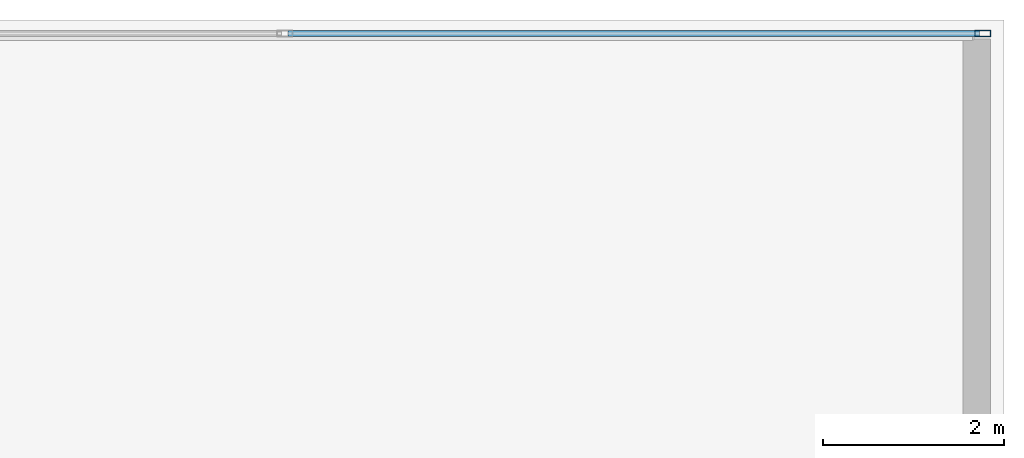
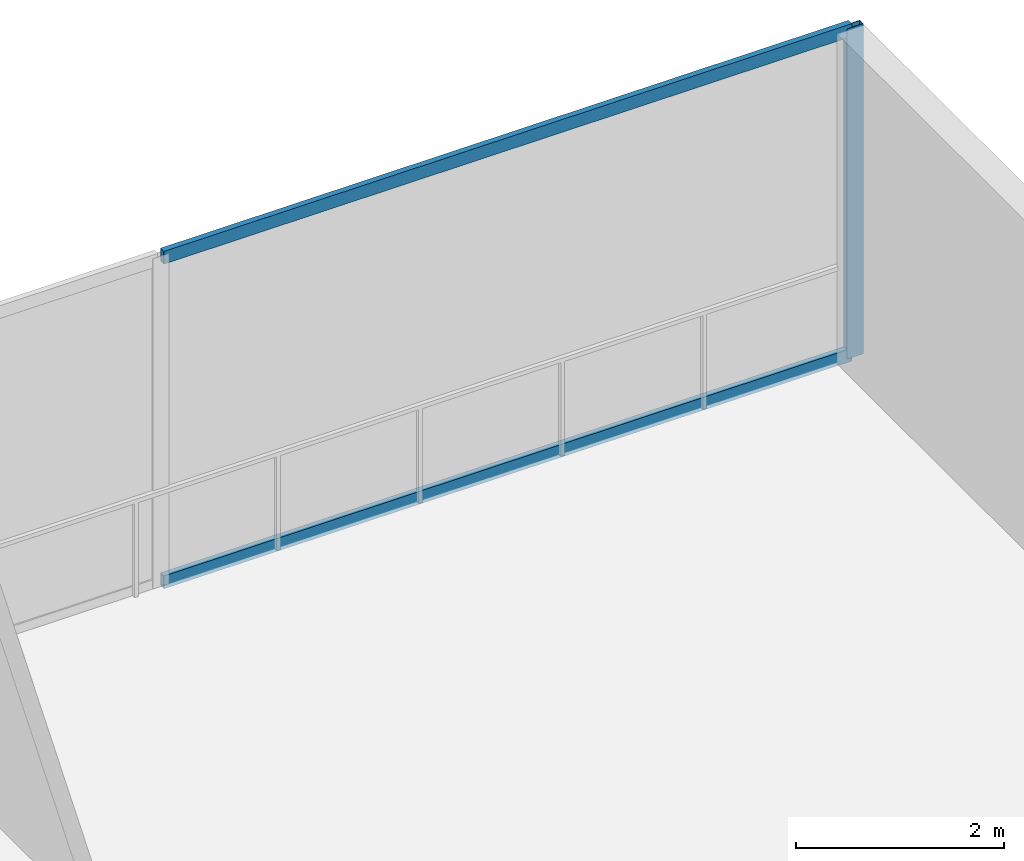
# One storey, part 7 of 17: 3 members, 1 element without a shape of its own.
"""IFC4 building model written with IfcOpenShell, lengths in metres."""

from ifc_helpers import new_model, si_unit, direction, frame, origin, origin_2d, place, context, subcontext, project, spatial, hollow_rectangle, extrude, source, transform, mapped, material, layer, layer_set, material_profile, profile_set, type_object, element, aggregate, save


model = new_model("IFC4")

# Units and contexts
model_context = context("Model", 3, precision=1e-05, world=origin(), true_north=direction((0.0, 1.0)))
body_context = subcontext(model_context, "Body", "Model", "MODEL_VIEW")
ifc_project = project(units=[si_unit("LENGTHUNIT", "METRE"), si_unit("AREAUNIT", "SQUARE_METRE"), si_unit("VOLUMEUNIT", "CUBIC_METRE"), si_unit("PLANEANGLEUNIT", "RADIAN"), si_unit("MASSUNIT", "GRAM", prefix="KILO")], contexts=[model_context])

# Site, building, storey
site_placement = place(None, origin())
site = spatial("IfcSite", under=ifc_project, at=site_placement, CompositionType="ELEMENT")
building_placement = place(site_placement, origin())
building = spatial("IfcBuilding", under=site, at=building_placement, Name="Sumidabori Civic Tower", CompositionType="ELEMENT")
storey_placement = place(building_placement, frame((0.0, 0.0, 9.64990234375)))
storey = spatial("IfcBuildingStorey", under=building, at=storey_placement, Name="L02", CompositionType="ELEMENT", Elevation=9.64990234375)

# Curtain wall, members
ifc_material = material(Name="Anodised Bronze Aluminium AW-6063-T6", Category="aluminium")
ifc_layer = layer(ifc_material, 0.179931640625, Name="Anodised Bronze Aluminium AW-6063-T6")
ifc_layer_set = layer_set([ifc_layer], Name="Anodised Bronze Aluminium AW-6063-T6")
curtain_wall_type = type_object("IfcCurtainWallType", Name="CW-SYS-1", PredefinedType="NOTDEFINED", material=ifc_layer_set)
curtain_wall_placement = place(storey_placement, origin())
curtain_wall = element("IfcCurtainWall", 1, at=curtain_wall_placement, inside=storey, type_object=curtain_wall_type, Name="Curtain Wall CW:L02:NORTH", PredefinedType="NOTDEFINED")
ifc_material_profile_1 = material_profile(ifc_material, hollow_rectangle(XDim=0.070068359375, YDim=0.179931640625, WallThickness=0.006103515625, at=origin_2d()), Name="ALU MULLION 180x70")
ifc_profile_set_1 = profile_set([ifc_material_profile_1], Name="Anodised Bronze Aluminium AW-6063-T6")
member_type_1 = type_object("IfcMemberType", Name="CW-MUL-180", PredefinedType="MULLION", material=ifc_profile_set_1)
shared_shape_1 = source(origin(), body_context, "Body", "SweptSolid", [
    extrude(hollow_rectangle(XDim=0.070068359375, YDim=0.179931640625, WallThickness=0.006103515625, at=origin_2d()), origin(), (0.0, 0.0, 1.0), 3.8701171875),
])
member_1_placement = place(storey_placement, frame((34.764892578125, 25.85009765625, 0.0), z_axis=(0.0, 0.0, 1.0), x_axis=(0.0, 1.0, 0.0)))
member_1 = element("IfcMember", 2, at=member_1_placement, type_object=member_type_1, Name="CW-1 mullion 10", PredefinedType="MULLION", context=body_context, shape_type="MappedRepresentation", body=[
    mapped(shared_shape_1, transform((0.0, 0.0, 0.0), x_axis=(1.0, 0.0, 0.0), y_axis=(0.0, 1.0, 0.0), z_axis=(0.0, 0.0, 1.0), scale=1.0)),
])
ifc_material_profile_2 = material_profile(ifc_material, hollow_rectangle(XDim=0.06494140625, YDim=0.14990234375, WallThickness=0.0048828125, at=origin_2d()), Name="ALU TRANSOM 150x65")
ifc_profile_set_2 = profile_set([ifc_material_profile_2], Name="Anodised Bronze Aluminium AW-6063-T6")
member_type_2 = type_object("IfcMemberType", Name="CW-TRN-150", PredefinedType="USERDEFINED", material=ifc_profile_set_2)
shared_shape_2 = source(origin(), body_context, "Body", "SweptSolid", [
    extrude(hollow_rectangle(XDim=0.06494140625, YDim=0.14990234375, WallThickness=0.0048828125, at=origin_2d()), origin(), (0.0, 0.0, 1.0), 7.62841796875),
])
member_2_placement = place(storey_placement, frame((27.1015625, 25.85009765625, 0.03271484375), z_axis=(1.0, 0.0, 0.0), x_axis=(0.0, 1.0, 0.0)))
member_2 = element("IfcMember", 3, at=member_2_placement, type_object=member_type_2, Name="CW-1 transom 9.1", ObjectType="TRANSOM", PredefinedType="USERDEFINED", context=body_context, shape_type="MappedRepresentation", body=[
    mapped(shared_shape_2, transform((0.0, 0.0, 0.0), x_axis=(1.0, 0.0, 0.0), y_axis=(0.0, 1.0, 0.0), z_axis=(0.0, 0.0, 1.0), scale=1.0)),
])
member_3_placement = place(storey_placement, frame((27.1015625, 25.85009765625, 3.837646484375), z_axis=(1.0, 0.0, 0.0), x_axis=(0.0, 1.0, 0.0)))
member_3 = element("IfcMember", 4, at=member_3_placement, type_object=member_type_2, Name="CW-1 transom 9.2", ObjectType="TRANSOM", PredefinedType="USERDEFINED", context=body_context, shape_type="MappedRepresentation", body=[
    mapped(shared_shape_2, transform((0.0, 0.0, 0.0), x_axis=(1.0, 0.0, 0.0), y_axis=(0.0, 1.0, 0.0), z_axis=(0.0, 0.0, 1.0), scale=1.0)),
])
aggregate(curtain_wall, [member_1, member_2, member_3])

save(model, "model.ifc")
